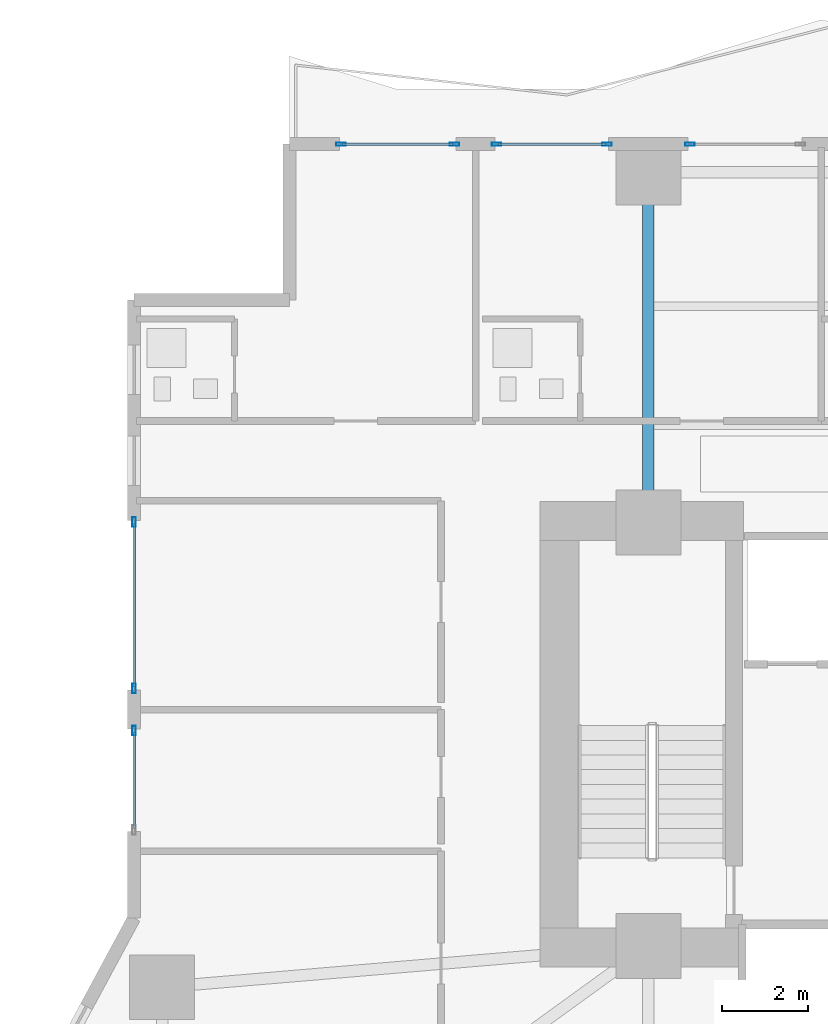
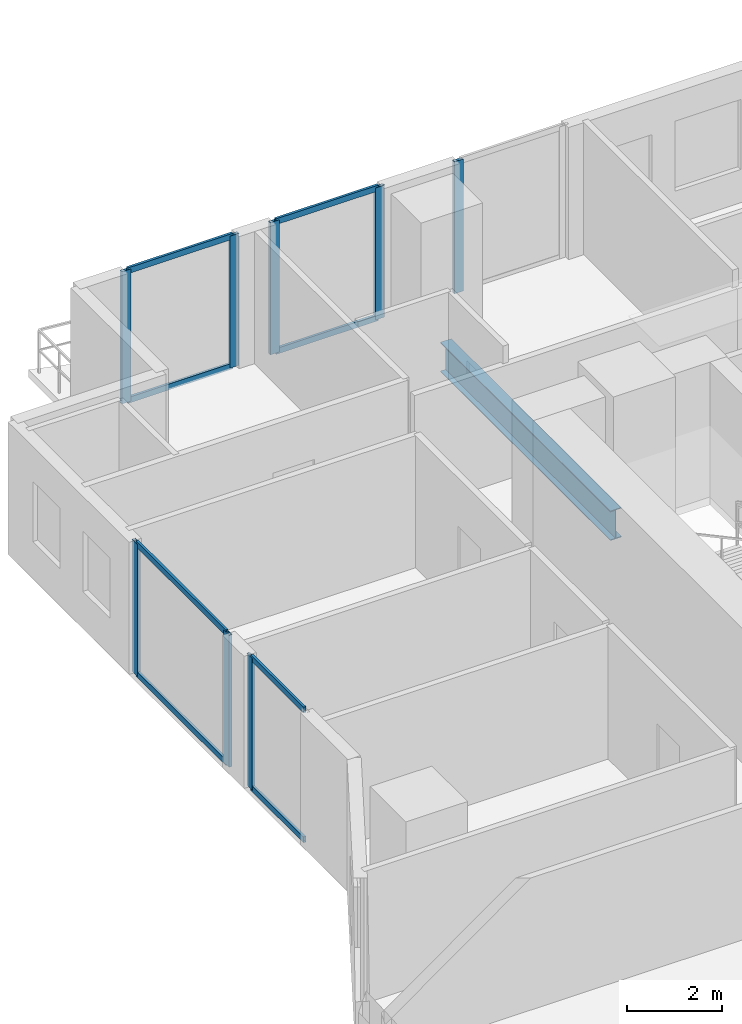
# One storey, part 13 of 30: 16 members, 1 beam, 5 elements without a shape of their own.
"""IFC4 building model written with IfcOpenShell, lengths in metres."""

from ifc_helpers import new_model, si_unit, direction, frame, origin, origin_2d, place, context, subcontext, project, spatial, hollow_rectangle, i_section, extrude, material, layer, layer_set, material_profile, profile_set, type_object, element, aggregate, save


model = new_model("IFC4")

# Units and contexts
model_context = context("Model", 3, precision=1e-05, world=origin(), true_north=direction((0.0, 1.0)))
body_context = subcontext(model_context, "Body", "Model", "MODEL_VIEW")
ifc_project = project(units=[si_unit("LENGTHUNIT", "METRE"), si_unit("AREAUNIT", "SQUARE_METRE"), si_unit("VOLUMEUNIT", "CUBIC_METRE"), si_unit("PLANEANGLEUNIT", "RADIAN"), si_unit("MASSUNIT", "GRAM", prefix="KILO")], contexts=[model_context])

# Site, building, storey
site_placement = place(None, origin())
site = spatial("IfcSite", under=ifc_project, at=site_placement, CompositionType="ELEMENT")
building_placement = place(site_placement, origin())
building = spatial("IfcBuilding", under=site, at=building_placement, Name="Zuhayl Quay Hotel", CompositionType="ELEMENT")
storey_placement = place(building_placement, frame((0.0, 0.0, 86.0)))
storey = spatial("IfcBuildingStorey", under=building, at=storey_placement, Name="L21", CompositionType="ELEMENT", Elevation=86.0)

# Beam
ifc_material_1 = material(Name="Steel ASTM A992 Grade 50", Category="steel")
ifc_material_profile_1 = material_profile(ifc_material_1, i_section(OverallWidth=0.26708984375, OverallDepth=0.761962890625, WebThickness=0.014404296875, FlangeThickness=0.021484375, at=origin_2d()), Name="W30X116")
ifc_profile_set_1 = profile_set([ifc_material_profile_1], Name="Steel ASTM A992 Grade 50")
beam_type = type_object("IfcBeamType", Name="BM_B1_W30X116", PredefinedType="BEAM", material=ifc_profile_set_1)
beam_placement = place(storey_placement, frame((-13.800048828125, 14.800048828125, -0.60107421875), z_axis=(0.0, 1.0, 0.0), x_axis=(-1.0, 0.0, 0.0)))
element("IfcBeam", 1, at=beam_placement, inside=storey, type_object=beam_type, Name="L21 Floor Beam FG_N_L21_1", PredefinedType="BEAM", context=body_context, shape_type="SweptSolid", body=[
    extrude(i_section(OverallWidth=0.26708984375, OverallDepth=0.761962890625, WebThickness=0.014404296875, FlangeThickness=0.021484375, at=origin_2d()), origin(), (0.0, 0.0, 1.0), 7.14990234375),
])

# Curtain wall, member
ifc_material_2 = material(Name="Anodised Aluminium 6063-T6", Category="aluminium")
ifc_layer = layer(ifc_material_2, 0.18994140625, Name="Anodised Aluminium 6063-T6", Category="aluminium")
ifc_layer_set = layer_set([ifc_layer], Name="Anodised Aluminium 6063-T6")
curtain_wall_type = type_object("IfcCurtainWallType", Name="CW_SYS_Z1", PredefinedType="USERDEFINED", material=ifc_layer_set)
curtain_wall_1_placement = place(storey_placement, origin())
curtain_wall_1 = element("IfcCurtainWall", 2, at=curtain_wall_1_placement, inside=storey, type_object=curtain_wall_type, Name="L21 Curtain Wall ENV_L21_E05_CW1", ObjectType="UNITISED CURTAIN WALL", PredefinedType="USERDEFINED")
ifc_material_3 = material(Name="Black-anodised aluminium 6063-T6", Category="aluminium")
ifc_material_profile_2 = material_profile(ifc_material_3, hollow_rectangle(XDim=0.074951171875, YDim=0.219970703125, WallThickness=0.00390625, at=origin_2d()), Name="ALU220X75")
ifc_profile_set_2 = profile_set([ifc_material_profile_2], Name="Black-anodised aluminium 6063-T6")
member_type_1 = type_object("IfcMemberType", Name="MB_CW_MUL_220", PredefinedType="MULLION", material=ifc_profile_set_2)
member_1_placement = place(storey_placement, frame((-25.699951171875, 9.532470703125, 0.0), z_axis=(0.0, 0.0, 1.0), x_axis=(-1.0, 0.0, 0.0)))
member_1 = element("IfcMember", 3, at=member_1_placement, type_object=member_type_1, Name="CW-Z1 mullion 2", PredefinedType="MULLION", context=body_context, shape_type="SweptSolid", body=[
    extrude(hollow_rectangle(XDim=0.074951171875, YDim=0.219970703125, WallThickness=0.00390625, at=origin_2d()), origin(), (0.0, 0.0, 1.0), 3.389892578125),
])

# Curtain wall, members
curtain_wall_2_placement = place(storey_placement, origin())
curtain_wall_2 = element("IfcCurtainWall", 4, at=curtain_wall_2_placement, inside=storey, type_object=curtain_wall_type, Name="L21 Curtain Wall ENV_L21_E05_CW2", ObjectType="UNITISED CURTAIN WALL", PredefinedType="USERDEFINED")
member_2_placement = place(storey_placement, frame((-25.699951171875, 10.507568359375, 0.0), z_axis=(0.0, 0.0, 1.0), x_axis=(-1.0, 0.0, 0.0)))
member_2 = element("IfcMember", 5, at=member_2_placement, type_object=member_type_1, Name="CW-Z1 mullion 1", PredefinedType="MULLION", context=body_context, shape_type="SweptSolid", body=[
    extrude(hollow_rectangle(XDim=0.074951171875, YDim=0.219970703125, WallThickness=0.00390625, at=origin_2d()), origin(), (0.0, 0.0, 1.0), 3.389892578125),
])
member_3_placement = place(storey_placement, frame((-25.699951171875, 14.362548828125, 0.0), z_axis=(0.0, 0.0, 1.0), x_axis=(-1.0, 0.0, 0.0)))
member_3 = element("IfcMember", 6, at=member_3_placement, type_object=member_type_1, Name="CW-Z1 mullion 2", PredefinedType="MULLION", context=body_context, shape_type="SweptSolid", body=[
    extrude(hollow_rectangle(XDim=0.074951171875, YDim=0.219970703125, WallThickness=0.00390625, at=origin_2d()), origin(), (0.0, 0.0, 1.0), 3.389892578125),
])

curtain_wall_3_placement = place(storey_placement, origin())
curtain_wall_3 = element("IfcCurtainWall", 7, at=curtain_wall_3_placement, inside=storey, type_object=curtain_wall_type, Name="L21 Curtain Wall ENV_L21_N_CW1", ObjectType="UNITISED CURTAIN WALL", PredefinedType="USERDEFINED")
member_4_placement = place(storey_placement, frame((-20.91259765625, 23.10009765625, 0.0), z_axis=(0.0, 0.0, 1.0), x_axis=(0.0, 1.0, 0.0)))
member_4 = element("IfcMember", 8, at=member_4_placement, type_object=member_type_1, Name="CW-Z1 mullion 1", PredefinedType="MULLION", context=body_context, shape_type="SweptSolid", body=[
    extrude(hollow_rectangle(XDim=0.074951171875, YDim=0.219970703125, WallThickness=0.00390625, at=origin_2d()), origin(), (0.0, 0.0, 1.0), 3.389892578125),
])
member_5_placement = place(storey_placement, frame((-18.28759765625, 23.10009765625, 0.0), z_axis=(0.0, 0.0, 1.0), x_axis=(0.0, 1.0, 0.0)))
member_5 = element("IfcMember", 9, at=member_5_placement, type_object=member_type_1, Name="CW-Z1 mullion 2", PredefinedType="MULLION", context=body_context, shape_type="SweptSolid", body=[
    extrude(hollow_rectangle(XDim=0.074951171875, YDim=0.219970703125, WallThickness=0.00390625, at=origin_2d()), origin(), (0.0, 0.0, 1.0), 3.389892578125),
])

curtain_wall_4_placement = place(storey_placement, origin())
curtain_wall_4 = element("IfcCurtainWall", 10, at=curtain_wall_4_placement, inside=storey, type_object=curtain_wall_type, Name="L21 Curtain Wall ENV_L21_N_CW2", ObjectType="UNITISED CURTAIN WALL", PredefinedType="USERDEFINED")
member_6_placement = place(storey_placement, frame((-17.3125, 23.10009765625, 0.0), z_axis=(0.0, 0.0, 1.0), x_axis=(0.0, 1.0, 0.0)))
member_6 = element("IfcMember", 11, at=member_6_placement, type_object=member_type_1, Name="CW-Z1 mullion 1", PredefinedType="MULLION", context=body_context, shape_type="SweptSolid", body=[
    extrude(hollow_rectangle(XDim=0.074951171875, YDim=0.219970703125, WallThickness=0.00390625, at=origin_2d()), origin(), (0.0, 0.0, 1.0), 3.389892578125),
])
member_7_placement = place(storey_placement, frame((-14.757568359375, 23.10009765625, 0.0), z_axis=(0.0, 0.0, 1.0), x_axis=(0.0, 1.0, 0.0)))
member_7 = element("IfcMember", 12, at=member_7_placement, type_object=member_type_1, Name="CW-Z1 mullion 2", PredefinedType="MULLION", context=body_context, shape_type="SweptSolid", body=[
    extrude(hollow_rectangle(XDim=0.074951171875, YDim=0.219970703125, WallThickness=0.00390625, at=origin_2d()), origin(), (0.0, 0.0, 1.0), 3.389892578125),
])

# Curtain wall, member
curtain_wall_5_placement = place(storey_placement, origin())
curtain_wall_5 = element("IfcCurtainWall", 13, at=curtain_wall_5_placement, inside=storey, type_object=curtain_wall_type, Name="L21 Curtain Wall ENV_L21_N_CW3", ObjectType="UNITISED CURTAIN WALL", PredefinedType="USERDEFINED")
member_8_placement = place(storey_placement, frame((-12.842529296875, 23.10009765625, 0.0), z_axis=(0.0, 0.0, 1.0), x_axis=(0.0, 1.0, 0.0)))
member_8 = element("IfcMember", 14, at=member_8_placement, type_object=member_type_1, Name="CW-Z1 mullion 1", PredefinedType="MULLION", context=body_context, shape_type="SweptSolid", body=[
    extrude(hollow_rectangle(XDim=0.074951171875, YDim=0.219970703125, WallThickness=0.00390625, at=origin_2d()), origin(), (0.0, 0.0, 1.0), 3.389892578125),
])
aggregate(curtain_wall_5, [member_8])

# Member
ifc_material_profile_3 = material_profile(ifc_material_3, hollow_rectangle(XDim=0.06005859375, YDim=0.14990234375, WallThickness=0.00341796875, at=origin_2d()), Name="ALU150X60")
ifc_profile_set_3 = profile_set([ifc_material_profile_3], Name="Black-anodised aluminium 6063-T6")
member_type_2 = type_object("IfcMemberType", Name="MB_CW_TRN_150", PredefinedType="USERDEFINED", material=ifc_profile_set_3)
member_9_placement = place(storey_placement, frame((-25.699951171875, 7.27490234375, 0.030029296875), z_axis=(0.0, 1.0, 0.0), x_axis=(-1.0, 0.0, 0.0)))
member_9 = element("IfcMember", 15, at=member_9_placement, type_object=member_type_2, Name="CW-Z1 transom 1.1", ObjectType="TRANSOM", PredefinedType="USERDEFINED", context=body_context, shape_type="SweptSolid", body=[
    extrude(hollow_rectangle(XDim=0.06005859375, YDim=0.14990234375, WallThickness=0.00341796875, at=origin_2d()), origin(), (0.0, 0.0, 1.0), 2.22021484375),
])

member_10_placement = place(storey_placement, frame((-25.699951171875, 7.27490234375, 3.360107421875), z_axis=(0.0, 1.0, 0.0), x_axis=(-1.0, 0.0, 0.0)))
member_10 = element("IfcMember", 16, at=member_10_placement, type_object=member_type_2, Name="CW-Z1 transom 1.2", ObjectType="TRANSOM", PredefinedType="USERDEFINED", context=body_context, shape_type="SweptSolid", body=[
    extrude(hollow_rectangle(XDim=0.06005859375, YDim=0.14990234375, WallThickness=0.00341796875, at=origin_2d()), origin(), (0.0, 0.0, 1.0), 2.22021484375),
])

aggregate(curtain_wall_1, [member_1, member_9, member_10])

member_11_placement = place(storey_placement, frame((-25.699951171875, 10.544921875, 0.030029296875), z_axis=(0.0, 1.0, 0.0), x_axis=(-1.0, 0.0, 0.0)))
member_11 = element("IfcMember", 17, at=member_11_placement, type_object=member_type_2, Name="CW-Z1 transom 1.1", ObjectType="TRANSOM", PredefinedType="USERDEFINED", context=body_context, shape_type="SweptSolid", body=[
    extrude(hollow_rectangle(XDim=0.06005859375, YDim=0.14990234375, WallThickness=0.00341796875, at=origin_2d()), origin(), (0.0, 0.0, 1.0), 3.780029296875),
])

member_12_placement = place(storey_placement, frame((-25.699951171875, 10.544921875, 3.360107421875), z_axis=(0.0, 1.0, 0.0), x_axis=(-1.0, 0.0, 0.0)))
member_12 = element("IfcMember", 18, at=member_12_placement, type_object=member_type_2, Name="CW-Z1 transom 1.2", ObjectType="TRANSOM", PredefinedType="USERDEFINED", context=body_context, shape_type="SweptSolid", body=[
    extrude(hollow_rectangle(XDim=0.06005859375, YDim=0.14990234375, WallThickness=0.00341796875, at=origin_2d()), origin(), (0.0, 0.0, 1.0), 3.780029296875),
])

aggregate(curtain_wall_2, [member_2, member_3, member_11, member_12])

member_13_placement = place(storey_placement, frame((-20.875, 23.10009765625, 0.030029296875), z_axis=(1.0, 0.0, 0.0), x_axis=(0.0, 1.0, 0.0)))
member_13 = element("IfcMember", 19, at=member_13_placement, type_object=member_type_2, Name="CW-Z1 transom 1.1", ObjectType="TRANSOM", PredefinedType="USERDEFINED", context=body_context, shape_type="SweptSolid", body=[
    extrude(hollow_rectangle(XDim=0.06005859375, YDim=0.14990234375, WallThickness=0.00341796875, at=origin_2d()), origin(), (0.0, 0.0, 1.0), 2.550048828125),
])

member_14_placement = place(storey_placement, frame((-20.875, 23.10009765625, 3.360107421875), z_axis=(1.0, 0.0, 0.0), x_axis=(0.0, 1.0, 0.0)))
member_14 = element("IfcMember", 20, at=member_14_placement, type_object=member_type_2, Name="CW-Z1 transom 1.2", ObjectType="TRANSOM", PredefinedType="USERDEFINED", context=body_context, shape_type="SweptSolid", body=[
    extrude(hollow_rectangle(XDim=0.06005859375, YDim=0.14990234375, WallThickness=0.00341796875, at=origin_2d()), origin(), (0.0, 0.0, 1.0), 2.550048828125),
])

aggregate(curtain_wall_3, [member_4, member_5, member_13, member_14])

member_15_placement = place(storey_placement, frame((-17.27490234375, 23.10009765625, 0.030029296875), z_axis=(1.0, 0.0, 0.0), x_axis=(0.0, 1.0, 0.0)))
member_15 = element("IfcMember", 21, at=member_15_placement, type_object=member_type_2, Name="CW-Z1 transom 1.1", ObjectType="TRANSOM", PredefinedType="USERDEFINED", context=body_context, shape_type="SweptSolid", body=[
    extrude(hollow_rectangle(XDim=0.06005859375, YDim=0.14990234375, WallThickness=0.00341796875, at=origin_2d()), origin(), (0.0, 0.0, 1.0), 2.47998046875),
])

member_16_placement = place(storey_placement, frame((-17.27490234375, 23.10009765625, 3.360107421875), z_axis=(1.0, 0.0, 0.0), x_axis=(0.0, 1.0, 0.0)))
member_16 = element("IfcMember", 22, at=member_16_placement, type_object=member_type_2, Name="CW-Z1 transom 1.2", ObjectType="TRANSOM", PredefinedType="USERDEFINED", context=body_context, shape_type="SweptSolid", body=[
    extrude(hollow_rectangle(XDim=0.06005859375, YDim=0.14990234375, WallThickness=0.00341796875, at=origin_2d()), origin(), (0.0, 0.0, 1.0), 2.47998046875),
])

aggregate(curtain_wall_4, [member_6, member_7, member_15, member_16])

save(model, "model.ifc")
